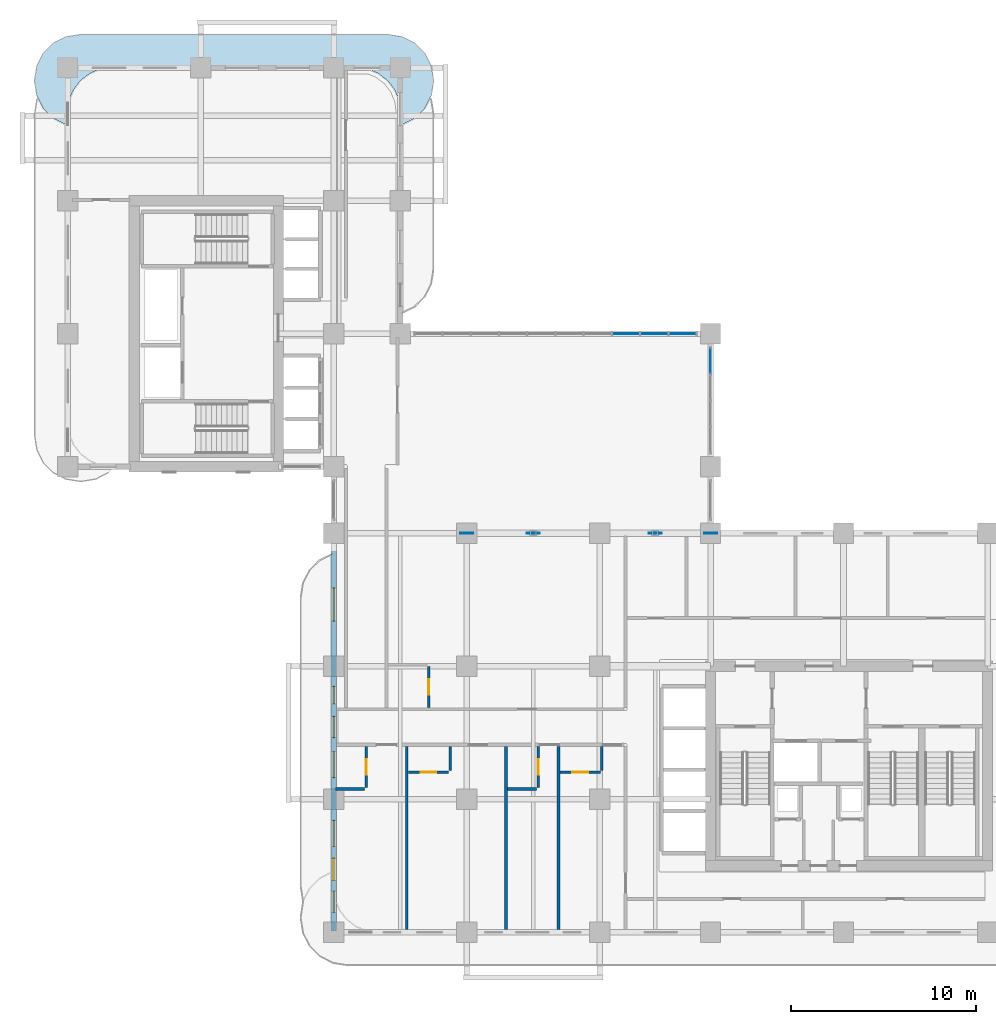
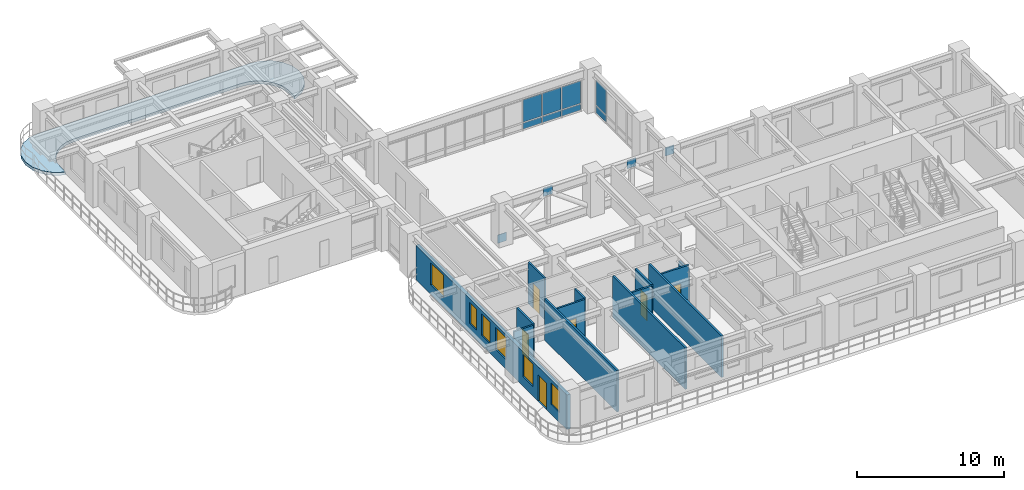
# One storey, part 10 of 21: 13 walls, 12 plates, 6 doors, 6 windows, 1 slab, 12 openings, 2 elements without a shape of their own.
"""IFC4 building model written with IfcOpenShell, lengths in metres."""

from ifc_helpers import new_model, si_unit, derived_unit, direction, frame, frame_2d, origin, origin_2d, place, context, subcontext, project, spatial, polyline, rectangle, outline, extrude, source, transform, mapped, material, layer, layer_set, type_object, type_shapes, element, fill, aggregate, save


model = new_model("IFC4")

# Units and contexts
model_context = context("Model", 3, precision=1e-05, world=origin(), true_north=direction((0.0, 1.0)))
body_context = subcontext(model_context, "Body", "Model", "MODEL_VIEW")
ifc_project = project(units=[si_unit("LENGTHUNIT", "METRE"), si_unit("AREAUNIT", "SQUARE_METRE"), si_unit("VOLUMEUNIT", "CUBIC_METRE"), si_unit("PLANEANGLEUNIT", "RADIAN"), si_unit("MASSUNIT", "GRAM", prefix="KILO"), si_unit("THERMODYNAMICTEMPERATUREUNIT", "KELVIN"), si_unit("POWERUNIT", "WATT"), derived_unit("THERMALTRANSMITTANCEUNIT", [(si_unit("POWERUNIT", "WATT"), 1), (si_unit("AREAUNIT", "SQUARE_METRE"), -1), (si_unit("THERMODYNAMICTEMPERATUREUNIT", "KELVIN"), -1)])], contexts=[model_context])

# Site, building, storey
site_placement = place(None, origin())
site = spatial("IfcSite", under=ifc_project, at=site_placement, CompositionType="ELEMENT")
building_placement = place(site_placement, origin())
building = spatial("IfcBuilding", under=site, at=building_placement, Name="Zahravan Archway Hotel and Residences", CompositionType="ELEMENT")
storey_placement = place(building_placement, frame((0.0, 0.0, 65.699951171875)))
storey = spatial("IfcBuildingStorey", under=building, at=storey_placement, Name="L15", CompositionType="ELEMENT", Elevation=65.699951171875)

# Slab
ifc_material_1 = material(Name="Concrete C45/55", Category="concrete")
ifc_layer_1 = layer(ifc_material_1, 0.25, Name="Concrete C45/55", Category="concrete")
ifc_layer_set_1 = layer_set([ifc_layer_1], Name="Concrete C45/55")
slab_type = type_object("IfcSlabType", Name="SLB-BALC-250", PredefinedType="FLOOR", material=ifc_layer_set_1)
slab_placement = place(storey_placement, frame((0.0, 0.0, -0.25)))
element("IfcSlab", 1, at=slab_placement, inside=storey, type_object=slab_type, Name="L15 Wing B North Rounded Balcony Band", PredefinedType="FLOOR", context=body_context, shape_type="SweptSolid", body=[
    extrude(outline(polyline([(-0.107177734375, 43.719970703125), (-0.7900390625, 44.06787109375), (-1.33203125, 44.60986328125), (-1.68017578125, 45.29296875), (-1.800048828125, 46.050048828125), (-1.800048828125, 46.14990234375), (-1.68017578125, 46.906982421875), (-1.33203125, 47.590087890625), (-0.7900390625, 48.132080078125), (-0.107177734375, 48.47998046875), (0.64990234375, 48.60009765625), (17.35009765625, 48.60009765625), (18.107177734375, 48.47998046875), (18.7900390625, 48.132080078125), (19.33203125, 47.590087890625), (19.68017578125, 46.906982421875), (19.800048828125, 46.14990234375), (19.800048828125, 46.050048828125), (19.68017578125, 45.29296875), (19.33203125, 44.60986328125), (18.7900390625, 44.06787109375), (18.107177734375, 43.719970703125), (18.02001953125, 43.7060546875), (18.02001953125, 44.39990234375), (18.019775390625, 44.402587890625), (17.93798828125, 45.023681640625), (17.937744140625, 45.025390625), (17.937255859375, 45.027099609375), (17.936767578125, 45.02880859375), (17.697021484375, 45.607666015625), (17.6962890625, 45.609130859375), (17.6953125, 45.610595703125), (17.6943359375, 45.6123046875), (17.31298828125, 46.109375), (17.311767578125, 46.110595703125), (17.310546875, 46.11181640625), (17.309326171875, 46.113037109375), (16.812255859375, 46.494384765625), (16.810791015625, 46.495361328125), (16.80908203125, 46.49609375), (16.8076171875, 46.4970703125), (16.22900390625, 46.73681640625), (16.227294921875, 46.7373046875), (16.2255859375, 46.73779296875), (16.223876953125, 46.738037109375), (15.6025390625, 46.81982421875), (15.60009765625, 46.820068359375), (2.39990234375, 46.820068359375), (2.3974609375, 46.81982421875), (1.776123046875, 46.738037109375), (1.7744140625, 46.73779296875), (1.772705078125, 46.7373046875), (1.77099609375, 46.73681640625), (1.1923828125, 46.4970703125), (1.19091796875, 46.49609375), (1.189208984375, 46.495361328125), (1.187744140625, 46.494384765625), (0.690673828125, 46.113037109375), (0.689453125, 46.11181640625), (0.688232421875, 46.110595703125), (0.68701171875, 46.109375), (0.3056640625, 45.6123046875), (0.3046875, 45.610595703125), (0.3037109375, 45.609130859375), (0.302978515625, 45.607666015625), (0.063232421875, 45.02880859375), (0.062744140625, 45.027099609375), (0.062255859375, 45.025390625), (0.06201171875, 45.023681640625), (-0.019775390625, 44.402587890625), (-0.02001953125, 44.39990234375), (-0.02001953125, 43.7060546875), (-0.107177734375, 43.719970703125)])), origin(), (0.0, 0.0, 1.0), 0.25),
])

# Plates
ifc_material_2 = material(Name="Structural Steel S355J2", Category="steel")
ifc_layer_2 = layer(ifc_material_2, 0.030029296875, Name="Structural Steel S355J2", Category="steel")
ifc_layer_set_2 = layer_set([ifc_layer_2], Name="Structural Steel S355J2")
plate_type_1 = type_object("IfcPlateType", Name="PLT-GUS-BTN1", PredefinedType="USERDEFINED", material=ifc_layer_set_2)
shared_shape_1 = source(origin(), body_context, "Body", "SweptSolid", [
    extrude(rectangle(XDim=0.699951171875, YDim=0.030029296875, at=origin_2d()), origin(), (0.0, 0.0, 1.0), 0.699951171875),
])
type_shapes(plate_type_1, [shared_shape_1])
for number, where, z_axis, x_axis, name in (
    (2, (21.60009765625, 21.60009765625, 0.0), (0.0, 0.0, 1.0), (1.0, 0.0, 0.0), "L15 Sky-Bridge End Gusset Plate BTN1-W"),
    (3, (34.800048828125, 21.60009765625, 2.64990234375), (0.0, 0.0, 1.0), (1.0, 0.0, 0.0), "L15 Sky-Bridge End Gusset Plate BTN1-E"),
    (4, (25.199951171875, 21.60009765625, 2.64990234375), (0.0, 0.0, 1.0), (1.0, 0.0, 0.0), "L15 Sky-Bridge Gusset Plate BTN1-1"),
    (5, (31.800048828125, 21.60009765625, 2.64990234375), (0.0, 0.0, 1.0), (1.0, 0.0, 0.0), "L15 Sky-Bridge Gusset Plate BTN1-3"),
):
    element("IfcPlate", number, at=place(storey_placement, frame(where, z_axis=z_axis, x_axis=x_axis)), inside=storey, type_object=plate_type_1, Name=name, ObjectType="GUSSET", PredefinedType="USERDEFINED", context=body_context, shape_type="MappedRepresentation", body=[
        mapped(shared_shape_1, transform((0.0, 0.0, 0.0), scale=1.0)),
    ])

# Curtain wall, plates
ifc_material_3 = material(Name="Bronze-Anodized Unitised Aluminium & Low-E Glass", Category="aluminium")
ifc_layer_3 = layer(ifc_material_3, 0.179931640625, Name="Bronze-Anodized Unitised Aluminium & Low-E Glass", Category="aluminium")
ifc_layer_set_3 = layer_set([ifc_layer_3], Name="Bronze-Anodized Unitised Aluminium & Low-E Glass")
curtain_wall_type = type_object("IfcCurtainWallType", Name="CW-SBG-1", PredefinedType="NOTDEFINED", material=ifc_layer_set_3)
curtain_wall_1_placement = place(storey_placement, origin())
curtain_wall_1 = element("IfcCurtainWall", 6, at=curtain_wall_1_placement, inside=storey, type_object=curtain_wall_type, Name="L15 Curtain Wall CW-L15-HNG-E-2", PredefinedType="NOTDEFINED")
ifc_material_4 = material(Name="Insulated Terracotta Spandrel Panel", Category="masonry")
ifc_layer_4 = layer(ifc_material_4, 0.0400390625, Name="Insulated Terracotta Spandrel Panel", Category="masonry")
ifc_layer_set_4 = layer_set([ifc_layer_4], Name="Insulated Terracotta Spandrel Panel")
plate_type_2 = type_object("IfcPlateType", Name="CWP-SPN-40", PredefinedType="SHEET", material=ifc_layer_set_4)
shared_shape_2 = source(origin(), body_context, "Body", "SweptSolid", [
    extrude(rectangle(XDim=1.340087890625, YDim=0.0400390625, at=origin_2d()), origin(), (0.0, 0.0, 1.0), 0.552490234375),
])
plate_1_placement = place(storey_placement, frame((34.800048828125, 30.929931640625, 0.10009765625), z_axis=(0.0, 0.0, 1.0), x_axis=(0.0, 1.0, 0.0)))
plate_1 = element("IfcPlate", 7, at=plate_1_placement, type_object=plate_type_2, Name="CW-L15-HNG-E-2 Spandrel Panel 3", PredefinedType="SHEET", context=body_context, shape_type="MappedRepresentation", body=[
    mapped(shared_shape_2, transform((0.0, 0.0, 0.0), scale=1.0)),
])
ifc_material_5 = material(Name="Double-Silver Low-E Insulated Vision Glass", Category="glass")
ifc_layer_5 = layer(ifc_material_5, 0.028076171875, Name="Double-Silver Low-E Insulated Vision Glass", Category="glass")
ifc_layer_set_5 = layer_set([ifc_layer_5], Name="Double-Silver Low-E Insulated Vision Glass")
plate_type_3 = type_object("IfcPlateType", Name="CWP-GLZ-28", PredefinedType="CURTAIN_PANEL", material=ifc_layer_set_5)
shared_shape_3 = source(origin(), body_context, "Body", "SweptSolid", [
    extrude(rectangle(XDim=1.340087890625, YDim=0.028076171875, at=origin_2d()), origin(), (0.0, 0.0, 1.0), 2.052490234375),
])
plate_2_placement = place(storey_placement, frame((34.800048828125, 30.929931640625, 0.732421875), z_axis=(0.0, 0.0, 1.0), x_axis=(0.0, 1.0, 0.0)))
plate_2 = element("IfcPlate", 8, at=plate_2_placement, type_object=plate_type_3, Name="CW-L15-HNG-E-2 Low-E Vision Panel 3", PredefinedType="CURTAIN_PANEL", context=body_context, shape_type="MappedRepresentation", body=[
    mapped(shared_shape_3, transform((0.0, 0.0, 0.0), scale=1.0)),
])
aggregate(curtain_wall_1, [plate_1, plate_2])

curtain_wall_2_placement = place(storey_placement, origin())
curtain_wall_2 = element("IfcCurtainWall", 9, at=curtain_wall_2_placement, inside=storey, type_object=curtain_wall_type, Name="L15 Curtain Wall CW-L15-HNG-N-1", PredefinedType="NOTDEFINED")
shared_shape_4 = source(origin(), body_context, "Body", "SweptSolid", [
    extrude(rectangle(XDim=1.447998046875, YDim=0.0400390625, at=origin_2d()), origin(), (0.0, 0.0, 1.0), 0.492431640625),
])
plate_3_placement = place(storey_placement, frame((30.219970703125, 32.39990234375, 0.10009765625), z_axis=(0.0, 0.0, 1.0), x_axis=(1.0, 0.0, 0.0)))
plate_3 = element("IfcPlate", 10, at=plate_3_placement, type_object=plate_type_2, Name="CW-L15-HNG-N-1 Spandrel Panel 7", PredefinedType="SHEET", context=body_context, shape_type="MappedRepresentation", body=[
    mapped(shared_shape_4, transform((0.0, 0.0, 0.0), scale=1.0)),
])
plate_4_placement = place(storey_placement, frame((31.748046875, 32.39990234375, 0.10009765625), z_axis=(0.0, 0.0, 1.0), x_axis=(1.0, 0.0, 0.0)))
plate_4 = element("IfcPlate", 11, at=plate_4_placement, type_object=plate_type_2, Name="CW-L15-HNG-N-1 Spandrel Panel 8", PredefinedType="SHEET", context=body_context, shape_type="MappedRepresentation", body=[
    mapped(shared_shape_4, transform((0.0, 0.0, 0.0), scale=1.0)),
])
plate_5_placement = place(storey_placement, frame((33.27587890625, 32.39990234375, 0.10009765625), z_axis=(0.0, 0.0, 1.0), x_axis=(1.0, 0.0, 0.0)))
plate_5 = element("IfcPlate", 12, at=plate_5_placement, type_object=plate_type_2, Name="CW-L15-HNG-N-1 Spandrel Panel 9", PredefinedType="SHEET", context=body_context, shape_type="MappedRepresentation", body=[
    mapped(shared_shape_4, transform((0.0, 0.0, 0.0), scale=1.0)),
])
shared_shape_5 = source(origin(), body_context, "Body", "SweptSolid", [
    extrude(rectangle(XDim=1.447998046875, YDim=0.028076171875, at=origin_2d()), origin(), (0.0, 0.0, 1.0), 1.862548828125),
])
plate_6_placement = place(storey_placement, frame((30.219970703125, 32.39990234375, 0.67236328125), z_axis=(0.0, 0.0, 1.0), x_axis=(1.0, 0.0, 0.0)))
plate_6 = element("IfcPlate", 13, at=plate_6_placement, type_object=plate_type_3, Name="CW-L15-HNG-N-1 Low-E Vision Panel 7", PredefinedType="CURTAIN_PANEL", context=body_context, shape_type="MappedRepresentation", body=[
    mapped(shared_shape_5, transform((0.0, 0.0, 0.0), scale=1.0)),
])
plate_7_placement = place(storey_placement, frame((31.748046875, 32.39990234375, 0.67236328125), z_axis=(0.0, 0.0, 1.0), x_axis=(1.0, 0.0, 0.0)))
plate_7 = element("IfcPlate", 14, at=plate_7_placement, type_object=plate_type_3, Name="CW-L15-HNG-N-1 Low-E Vision Panel 8", PredefinedType="CURTAIN_PANEL", context=body_context, shape_type="MappedRepresentation", body=[
    mapped(shared_shape_5, transform((0.0, 0.0, 0.0), scale=1.0)),
])
plate_8_placement = place(storey_placement, frame((33.27587890625, 32.39990234375, 0.67236328125), z_axis=(0.0, 0.0, 1.0), x_axis=(1.0, 0.0, 0.0)))
plate_8 = element("IfcPlate", 15, at=plate_8_placement, type_object=plate_type_3, Name="CW-L15-HNG-N-1 Low-E Vision Panel 9", PredefinedType="CURTAIN_PANEL", context=body_context, shape_type="MappedRepresentation", body=[
    mapped(shared_shape_5, transform((0.0, 0.0, 0.0), scale=1.0)),
])
aggregate(curtain_wall_2, [plate_3, plate_6, plate_4, plate_7, plate_5, plate_8])

# Wall, openings, door, windows
ifc_material_6 = material(Name="Honed Red-Ochre Sandstone & Insulated Block", Category="masonry")
ifc_layer_6 = layer(ifc_material_6, 0.280029296875, Name="Honed Red-Ochre Sandstone & Insulated Block", Category="masonry")
ifc_layer_set_6 = layer_set([ifc_layer_6], Name="Honed Red-Ochre Sandstone & Insulated Block")
wall_type_1 = type_object("IfcWallType", Name="EW-LOG-280", PredefinedType="SOLIDWALL", material=ifc_layer_set_6)
wall_1_placement = place(storey_placement, frame((14.39990234375, 0.050048828125, 0.0), z_axis=(0.0, 0.0, 1.0), x_axis=(0.0, 1.0, 0.0)))
wall_1 = element("IfcWall", 16, at=wall_1_placement, inside=storey, type_object=wall_type_1, Name="L15 Exterior Sandstone Wall WA-WL", PredefinedType="SOLIDWALL", context=body_context, shape_type="SweptSolid", body=[
    extrude(rectangle(XDim=20.599853515625, YDim=0.280029296875, at=frame_2d((10.2998046875, 0.0))), origin(), (0.0, 0.0, 1.0), 2.885009765625),
])
opening_1_placement = place(wall_1_placement, frame((2.75, 0.0, 0.0)))
opening_1 = element("IfcOpeningElement", 17, at=opening_1_placement, cuts=wall_1, Name="Opening ED-BL1", PredefinedType="OPENING", context=body_context, shape_type="SweptSolid", body=[
    extrude(rectangle(XDim=1.199951171875, YDim=2.199951171875, at=frame_2d((0.60009765625, 1.10009765625))), frame((0.0, 0.14990234375, 0.0), z_axis=(0.0, -1.0, 0.0), x_axis=(1.0, 0.0, 0.0)), (0.0, 0.0, 1.0), 0.300048828125),
])
opening_2_placement = place(wall_1_placement, frame((1.02490234375, 0.0, 0.800048828125)))
opening_2 = element("IfcOpeningElement", 18, at=opening_2_placement, cuts=wall_1, Name="Opening W-05", PredefinedType="OPENING", context=body_context, shape_type="SweptSolid", body=[
    extrude(rectangle(XDim=1.14990234375, YDim=1.800048828125, at=frame_2d((0.574951171875, 0.89990234375))), frame((0.0, 0.14990234375, 0.0), z_axis=(0.0, -1.0, 0.0), x_axis=(1.0, 0.0, 0.0)), (0.0, 0.0, 1.0), 0.300048828125),
])
opening_3_placement = place(wall_1_placement, frame((4.60009765625, 0.0, 0.800048828125)))
opening_3 = element("IfcOpeningElement", 19, at=opening_3_placement, cuts=wall_1, Name="Opening W-03", PredefinedType="OPENING", context=body_context, shape_type="SweptSolid", body=[
    extrude(rectangle(XDim=1.39990234375, YDim=1.85009765625, at=frame_2d((0.699951171875, 0.925048828125))), frame((0.0, 0.14990234375, 0.0), z_axis=(0.0, -1.0, 0.0), x_axis=(1.0, 0.0, 0.0)), (0.0, 0.0, 1.0), 0.300048828125),
])
opening_4_placement = place(wall_1_placement, frame((8.321044921875, 0.0, 0.800048828125)))
opening_4 = element("IfcOpeningElement", 20, at=opening_4_placement, cuts=wall_1, Name="Opening W-03", PredefinedType="OPENING", context=body_context, shape_type="SweptSolid", body=[
    extrude(rectangle(XDim=1.39990234375, YDim=1.85009765625, at=frame_2d((0.699951171875, 0.925048828125))), frame((0.0, 0.14990234375, 0.0), z_axis=(0.0, -1.0, 0.0), x_axis=(1.0, 0.0, 0.0)), (0.0, 0.0, 1.0), 0.300048828125),
])
opening_5_placement = place(wall_1_placement, frame((10.485107421875, 0.0, 0.800048828125)))
opening_5 = element("IfcOpeningElement", 21, at=opening_5_placement, cuts=wall_1, Name="Opening W-05", PredefinedType="OPENING", context=body_context, shape_type="SweptSolid", body=[
    extrude(rectangle(XDim=1.14990234375, YDim=1.800048828125, at=frame_2d((0.574951171875, 0.89990234375))), frame((0.0, 0.14990234375, 0.0), z_axis=(0.0, -1.0, 0.0), x_axis=(1.0, 0.0, 0.0)), (0.0, 0.0, 1.0), 0.300048828125),
])
opening_6_placement = place(wall_1_placement, frame((12.31396484375, 0.0, 0.800048828125)))
opening_6 = element("IfcOpeningElement", 22, at=opening_6_placement, cuts=wall_1, Name="Opening W-04", PredefinedType="OPENING", context=body_context, shape_type="SweptSolid", body=[
    extrude(rectangle(XDim=0.949951171875, YDim=1.75, at=frame_2d((0.47509765625, 0.875))), frame((0.0, 0.14990234375, 0.0), z_axis=(0.0, -1.0, 0.0), x_axis=(1.0, 0.0, 0.0)), (0.0, 0.0, 1.0), 0.300048828125),
])
opening_7_placement = place(wall_1_placement, frame((16.7900390625, 0.0, 0.800048828125)))
opening_7 = element("IfcOpeningElement", 23, at=opening_7_placement, cuts=wall_1, Name="Opening W-02", PredefinedType="OPENING", context=body_context, shape_type="SweptSolid", body=[
    extrude(rectangle(XDim=1.800048828125, YDim=1.85009765625, at=frame_2d((0.89990234375, 0.925048828125))), frame((0.0, 0.14990234375, 0.0), z_axis=(0.0, -1.0, 0.0), x_axis=(1.0, 0.0, 0.0)), (0.0, 0.0, 1.0), 0.300048828125),
])
ifc_material_7 = material(Name="Bronze-Anodized Glazed Aluminium", Category="aluminium")
door_type_1 = type_object("IfcDoorType", Name="ED-BALC-1200", OperationType="SLIDING_TO_LEFT", PredefinedType="DOOR", material=ifc_material_7)
shared_shape_6 = source(origin(), body_context, "Body", "SweptSolid", [
    extrude(rectangle(XDim=1.199951171875, YDim=2.199951171875, at=frame_2d((0.60009765625, 1.10009765625))), frame((0.0, 0.02490234375, 0.0), z_axis=(0.0, -1.0, 0.0), x_axis=(1.0, 0.0, 0.0)), (0.0, 0.0, 1.0), 0.050048828125),
])
type_shapes(door_type_1, [shared_shape_6])
door_1_placement = place(opening_1_placement, origin())
door_1 = element("IfcDoor", 24, at=door_1_placement, inside=storey, type_object=door_type_1, Name="L15 Outdoor Access Sliding Door (SLB-BAL-L15-WA)", OperationType="SLIDING_TO_LEFT", OverallHeight=2.199951171875, OverallWidth=1.199951171875, PredefinedType="DOOR", context=body_context, shape_type="MappedRepresentation", body=[
    mapped(shared_shape_6, transform((0.0, 0.0, 0.0), scale=1.0)),
])
fill(opening_1, door_1)
ifc_material_8 = material(Name="Bronze-Anodized Thermal-Break Aluminium & Low-E Glass", Category="aluminium")
window_type_1 = type_object("IfcWindowType", Name="WIN-TWR-1400", PartitioningType="SINGLE_PANEL", PredefinedType="WINDOW", material=ifc_material_8)
shared_shape_7 = source(origin(), body_context, "Body", "SweptSolid", [
    extrude(rectangle(XDim=1.39990234375, YDim=1.85009765625, at=frame_2d((0.699951171875, 0.925048828125))), frame((0.0, 0.030029296875, 0.0), z_axis=(0.0, -1.0, 0.0), x_axis=(1.0, 0.0, 0.0)), (0.0, 0.0, 1.0), 0.06005859375),
])
type_shapes(window_type_1, [shared_shape_7])
window_1_placement = place(opening_3_placement, origin())
window_1 = element("IfcWindow", 25, at=window_1_placement, inside=storey, type_object=window_type_1, Name="L15 Loggia Window 26", OverallHeight=1.85009765625, OverallWidth=1.39990234375, PartitioningType="SINGLE_PANEL", PredefinedType="WINDOW", context=body_context, shape_type="MappedRepresentation", body=[
    mapped(shared_shape_7, transform((0.0, 0.0, 0.0), scale=1.0)),
])
fill(opening_3, window_1)
window_2_placement = place(opening_4_placement, origin())
window_2 = element("IfcWindow", 26, at=window_2_placement, inside=storey, type_object=window_type_1, Name="L15 Loggia Window 27", OverallHeight=1.85009765625, OverallWidth=1.39990234375, PartitioningType="SINGLE_PANEL", PredefinedType="WINDOW", context=body_context, shape_type="MappedRepresentation", body=[
    mapped(shared_shape_7, transform((0.0, 0.0, 0.0), scale=1.0)),
])
fill(opening_4, window_2)
window_type_2 = type_object("IfcWindowType", Name="WIN-NAR-950", PartitioningType="SINGLE_PANEL", PredefinedType="WINDOW", material=ifc_material_8)
shared_shape_8 = source(origin(), body_context, "Body", "SweptSolid", [
    extrude(rectangle(XDim=0.949951171875, YDim=1.75, at=frame_2d((0.47509765625, 0.875))), frame((0.0, 0.030029296875, 0.0), z_axis=(0.0, -1.0, 0.0), x_axis=(1.0, 0.0, 0.0)), (0.0, 0.0, 1.0), 0.06005859375),
])
type_shapes(window_type_2, [shared_shape_8])
window_3_placement = place(opening_6_placement, origin())
window_3 = element("IfcWindow", 27, at=window_3_placement, inside=storey, type_object=window_type_2, Name="L15 Loggia Window 29", OverallHeight=1.75, OverallWidth=0.949951171875, PartitioningType="SINGLE_PANEL", PredefinedType="WINDOW", context=body_context, shape_type="MappedRepresentation", body=[
    mapped(shared_shape_8, transform((0.0, 0.0, 0.0), scale=1.0)),
])
fill(opening_6, window_3)
window_type_3 = type_object("IfcWindowType", Name="WIN-TWR-1800", PartitioningType="DOUBLE_PANEL_VERTICAL", PredefinedType="WINDOW", material=ifc_material_8)
shared_shape_9 = source(origin(), body_context, "Body", "SweptSolid", [
    extrude(rectangle(XDim=1.800048828125, YDim=1.85009765625, at=frame_2d((0.89990234375, 0.925048828125))), frame((0.0, 0.030029296875, 0.0), z_axis=(0.0, -1.0, 0.0), x_axis=(1.0, 0.0, 0.0)), (0.0, 0.0, 1.0), 0.06005859375),
])
type_shapes(window_type_3, [shared_shape_9])
window_4_placement = place(opening_7_placement, origin())
window_4 = element("IfcWindow", 28, at=window_4_placement, inside=storey, type_object=window_type_3, Name="L15 Loggia Window 30", OverallHeight=1.85009765625, OverallWidth=1.800048828125, PartitioningType="DOUBLE_PANEL_VERTICAL", PredefinedType="WINDOW", context=body_context, shape_type="MappedRepresentation", body=[
    mapped(shared_shape_9, transform((0.0, 0.0, 0.0), scale=1.0)),
])
fill(opening_7, window_4)
window_type_4 = type_object("IfcWindowType", Name="WIN-TWR-1150", PartitioningType="SINGLE_PANEL", PredefinedType="WINDOW", material=ifc_material_8)
shared_shape_10 = source(origin(), body_context, "Body", "SweptSolid", [
    extrude(rectangle(XDim=1.14990234375, YDim=1.800048828125, at=frame_2d((0.574951171875, 0.89990234375))), frame((0.0, 0.030029296875, 0.0), z_axis=(0.0, -1.0, 0.0), x_axis=(1.0, 0.0, 0.0)), (0.0, 0.0, 1.0), 0.06005859375),
])
type_shapes(window_type_4, [shared_shape_10])
window_5_placement = place(opening_2_placement, origin())
window_5 = element("IfcWindow", 29, at=window_5_placement, inside=storey, type_object=window_type_4, Name="L15 Loggia Window 25", OverallHeight=1.800048828125, OverallWidth=1.14990234375, PartitioningType="SINGLE_PANEL", PredefinedType="WINDOW", context=body_context, shape_type="MappedRepresentation", body=[
    mapped(shared_shape_10, transform((0.0, 0.0, 0.0), scale=1.0)),
])
fill(opening_2, window_5)
window_6_placement = place(opening_5_placement, origin())
window_6 = element("IfcWindow", 30, at=window_6_placement, inside=storey, type_object=window_type_4, Name="L15 Loggia Window 28", OverallHeight=1.800048828125, OverallWidth=1.14990234375, PartitioningType="SINGLE_PANEL", PredefinedType="WINDOW", context=body_context, shape_type="MappedRepresentation", body=[
    mapped(shared_shape_10, transform((0.0, 0.0, 0.0), scale=1.0)),
])
fill(opening_5, window_6)

# Walls
ifc_material_9 = material(Name="Acoustic Stud Partition")
ifc_layer_7 = layer(ifc_material_9, 0.14990234375, Name="Acoustic Stud Partition")
ifc_layer_set_7 = layer_set([ifc_layer_7], Name="Acoustic Stud Partition")
wall_type_2 = type_object("IfcWallType", Name="PW-UNIT-150", PredefinedType="PARTITIONING", material=ifc_layer_set_7)
for number, where, z_axis, x_axis, name in (
    (31, (18.35009765625, 0.14794921875, 0.0), (0.0, 0.0, 1.0), (0.0, 1.0, 0.0), "L15 Partition WAS-4-1"),
    (32, (23.719970703125, 0.14794921875, 0.0), (0.0, 0.0, 1.0), (0.0, 1.0, 0.0), "L15 Partition WAS-4-2"),
    (33, (26.570068359375, 0.14794921875, 0.0), (0.0, 0.0, 1.0), (0.0, 1.0, 0.0), "L15 Partition WAS-4-3"),
):
    element("IfcWall", number, at=place(storey_placement, frame(where, z_axis=z_axis, x_axis=x_axis)), inside=storey, type_object=wall_type_2, Name=name, PredefinedType="PARTITIONING", context=body_context, shape_type="SweptSolid", body=[
        extrude(rectangle(XDim=9.912109375, YDim=0.14990234375, at=frame_2d((4.9560546875, 0.0))), origin(), (0.0, 0.0, 1.0), 3.449951171875),
    ])

# Wall, opening, door
ifc_material_10 = material(Name="Moisture-Resistant Blockwork", Category="masonry")
ifc_layer_8 = layer(ifc_material_10, 0.139892578125, Name="Moisture-Resistant Blockwork", Category="masonry")
ifc_layer_set_8 = layer_set([ifc_layer_8], Name="Moisture-Resistant Blockwork")
wall_type_3 = type_object("IfcWallType", Name="PW-WET-140", PredefinedType="PARTITIONING", material=ifc_layer_set_8)
wall_2_placement = place(storey_placement, frame((16.14990234375, 7.840087890625, 0.0), z_axis=(0.0, 0.0, 1.0), x_axis=(0.0, 1.0, 0.0)))
wall_2 = element("IfcWall", 34, at=wall_2_placement, inside=storey, type_object=wall_type_3, Name="L15 Partition HKB-V40", PredefinedType="PARTITIONING", context=body_context, shape_type="SweptSolid", body=[
    extrude(rectangle(XDim=2.219970703125, YDim=0.139892578125, at=frame_2d((1.10986328125, 0.0))), origin(), (0.0, 0.0, 1.0), 3.449951171875),
])
opening_8_placement = place(wall_2_placement, frame((0.68505859375, 0.0, 0.0)))
opening_8 = element("IfcOpeningElement", 35, at=opening_8_placement, cuts=wall_2, Name="Opening D-B1", PredefinedType="OPENING", context=body_context, shape_type="SweptSolid", body=[
    extrude(rectangle(XDim=0.85009765625, YDim=2.10009765625, at=frame_2d((0.425048828125, 1.050048828125))), frame((0.0, 0.080078125, 0.0), z_axis=(0.0, -1.0, 0.0), x_axis=(1.0, 0.0, 0.0)), (0.0, 0.0, 1.0), 0.159912109375),
])
ifc_material_11 = material(Name="Hardwood Veneer Timber", Category="wood")
door_type_2 = type_object("IfcDoorType", Name="ID-BATH-850", OperationType="NOTDEFINED", PredefinedType="DOOR", material=ifc_material_11)
shared_shape_11 = source(origin(), body_context, "Body", "SweptSolid", [
    extrude(rectangle(XDim=0.85009765625, YDim=2.10009765625, at=frame_2d((0.425048828125, 1.050048828125))), frame((0.0, 0.02490234375, 0.0), z_axis=(0.0, -1.0, 0.0), x_axis=(1.0, 0.0, 0.0)), (0.0, 0.0, 1.0), 0.050048828125),
])
type_shapes(door_type_2, [shared_shape_11])
door_2_placement = place(opening_8_placement, origin())
door_2 = element("IfcDoor", 36, at=door_2_placement, inside=storey, type_object=door_type_2, Name="L15 Guestroom 40 En-Suite Door", OperationType="SINGLE_SWING_RIGHT", OverallHeight=2.10009765625, OverallWidth=0.85009765625, PredefinedType="DOOR", context=body_context, shape_type="MappedRepresentation", body=[
    mapped(shared_shape_11, transform((0.0, 0.0, 0.0), scale=1.0)),
])
fill(opening_8, door_2)

# Walls
wall_3_placement = place(storey_placement, frame((14.489990234375, 7.75, 0.0), z_axis=(0.0, 0.0, 1.0), x_axis=(1.0, 0.0, 0.0)))
element("IfcWall", 37, at=wall_3_placement, inside=storey, type_object=wall_type_3, Name="L15 Partition HKB-H40", PredefinedType="PARTITIONING", context=body_context, shape_type="SweptSolid", body=[
    extrude(rectangle(XDim=1.570068359375, YDim=0.139892578125, at=frame_2d((0.78515625, 0.0))), origin(), (0.0, 0.0, 1.0), 3.449951171875),
])
wall_4_placement = place(storey_placement, frame((20.699951171875, 8.739990234375, 0.0), z_axis=(0.0, 0.0, 1.0), x_axis=(0.0, 1.0, 0.0)))
element("IfcWall", 38, at=wall_4_placement, inside=storey, type_object=wall_type_3, Name="L15 Partition HKB-V41", PredefinedType="PARTITIONING", context=body_context, shape_type="SweptSolid", body=[
    extrude(rectangle(XDim=1.320068359375, YDim=0.139892578125, at=frame_2d((0.66015625, 0.0))), origin(), (0.0, 0.0, 1.0), 3.449951171875),
])

# Wall, opening, door
wall_5_placement = place(storey_placement, frame((18.43994140625, 8.64990234375, 0.0), z_axis=(0.0, 0.0, 1.0), x_axis=(1.0, 0.0, 0.0)))
wall_5 = element("IfcWall", 39, at=wall_5_placement, inside=storey, type_object=wall_type_3, Name="L15 Partition HKB-H41", PredefinedType="PARTITIONING", context=body_context, shape_type="SweptSolid", body=[
    extrude(rectangle(XDim=2.170166015625, YDim=0.139892578125, at=frame_2d((1.0849609375, 0.0))), origin(), (0.0, 0.0, 1.0), 3.449951171875),
])
opening_9_placement = place(wall_5_placement, frame((0.659912109375, 0.0, 0.0)))
opening_9 = element("IfcOpeningElement", 40, at=opening_9_placement, cuts=wall_5, Name="Opening D-B1", PredefinedType="OPENING", context=body_context, shape_type="SweptSolid", body=[
    extrude(rectangle(XDim=0.85009765625, YDim=2.10009765625, at=frame_2d((0.425048828125, 1.050048828125))), frame((0.0, 0.080078125, 0.0), z_axis=(0.0, -1.0, 0.0), x_axis=(1.0, 0.0, 0.0)), (0.0, 0.0, 1.0), 0.159912109375),
])
door_3_placement = place(opening_9_placement, origin())
door_3 = element("IfcDoor", 41, at=door_3_placement, inside=storey, type_object=door_type_2, Name="L15 Guestroom 41 En-Suite Door", OperationType="SINGLE_SWING_RIGHT", OverallHeight=2.10009765625, OverallWidth=0.85009765625, PredefinedType="DOOR", context=body_context, shape_type="MappedRepresentation", body=[
    mapped(shared_shape_11, transform((0.0, 0.0, 0.0), scale=1.0)),
])
fill(opening_9, door_3)

wall_6_placement = place(storey_placement, frame((25.469970703125, 7.840087890625, 0.0), z_axis=(0.0, 0.0, 1.0), x_axis=(0.0, 1.0, 0.0)))
wall_6 = element("IfcWall", 42, at=wall_6_placement, inside=storey, type_object=wall_type_3, Name="L15 Partition HKB-V42", PredefinedType="PARTITIONING", context=body_context, shape_type="SweptSolid", body=[
    extrude(rectangle(XDim=2.219970703125, YDim=0.139892578125, at=frame_2d((1.10986328125, 0.0))), origin(), (0.0, 0.0, 1.0), 3.449951171875),
])
opening_10_placement = place(wall_6_placement, frame((0.68505859375, 0.0, 0.0)))
opening_10 = element("IfcOpeningElement", 43, at=opening_10_placement, cuts=wall_6, Name="Opening D-B1", PredefinedType="OPENING", context=body_context, shape_type="SweptSolid", body=[
    extrude(rectangle(XDim=0.85009765625, YDim=2.10009765625, at=frame_2d((0.425048828125, 1.050048828125))), frame((0.0, 0.080078125, 0.0), z_axis=(0.0, -1.0, 0.0), x_axis=(1.0, 0.0, 0.0)), (0.0, 0.0, 1.0), 0.159912109375),
])
door_4_placement = place(opening_10_placement, origin())
door_4 = element("IfcDoor", 44, at=door_4_placement, inside=storey, type_object=door_type_2, Name="L15 Guestroom 42 En-Suite Door", OperationType="SINGLE_SWING_RIGHT", OverallHeight=2.10009765625, OverallWidth=0.85009765625, PredefinedType="DOOR", context=body_context, shape_type="MappedRepresentation", body=[
    mapped(shared_shape_11, transform((0.0, 0.0, 0.0), scale=1.0)),
])
fill(opening_10, door_4)

# Walls
wall_7_placement = place(storey_placement, frame((23.81005859375, 7.75, 0.0), z_axis=(0.0, 0.0, 1.0), x_axis=(1.0, 0.0, 0.0)))
element("IfcWall", 45, at=wall_7_placement, inside=storey, type_object=wall_type_3, Name="L15 Partition HKB-H42", PredefinedType="PARTITIONING", context=body_context, shape_type="SweptSolid", body=[
    extrude(rectangle(XDim=1.56982421875, YDim=0.139892578125, at=frame_2d((0.784912109375, 0.0))), origin(), (0.0, 0.0, 1.0), 3.449951171875),
])
wall_8_placement = place(storey_placement, frame((28.919921875, 8.739990234375, 0.0), z_axis=(0.0, 0.0, 1.0), x_axis=(0.0, 1.0, 0.0)))
element("IfcWall", 46, at=wall_8_placement, inside=storey, type_object=wall_type_3, Name="L15 Partition HKB-V43", PredefinedType="PARTITIONING", context=body_context, shape_type="SweptSolid", body=[
    extrude(rectangle(XDim=1.320068359375, YDim=0.139892578125, at=frame_2d((0.66015625, 0.0))), origin(), (0.0, 0.0, 1.0), 2.885009765625),
])

# Wall, opening, door
wall_9_placement = place(storey_placement, frame((26.659912109375, 8.64990234375, 0.0), z_axis=(0.0, 0.0, 1.0), x_axis=(1.0, 0.0, 0.0)))
wall_9 = element("IfcWall", 47, at=wall_9_placement, inside=storey, type_object=wall_type_3, Name="L15 Partition HKB-H43", PredefinedType="PARTITIONING", context=body_context, shape_type="SweptSolid", body=[
    extrude(rectangle(XDim=2.170166015625, YDim=0.139892578125, at=frame_2d((1.0849609375, 0.0))), origin(), (0.0, 0.0, 1.0), 3.449951171875),
])
opening_11_placement = place(wall_9_placement, frame((0.659912109375, 0.0, 0.0)))
opening_11 = element("IfcOpeningElement", 48, at=opening_11_placement, cuts=wall_9, Name="Opening D-B1", PredefinedType="OPENING", context=body_context, shape_type="SweptSolid", body=[
    extrude(rectangle(XDim=0.85009765625, YDim=2.10009765625, at=frame_2d((0.425048828125, 1.050048828125))), frame((0.0, 0.080078125, 0.0), z_axis=(0.0, -1.0, 0.0), x_axis=(1.0, 0.0, 0.0)), (0.0, 0.0, 1.0), 0.159912109375),
])
door_5_placement = place(opening_11_placement, origin())
door_5 = element("IfcDoor", 49, at=door_5_placement, inside=storey, type_object=door_type_2, Name="L15 Guestroom 43 En-Suite Door", OperationType="SINGLE_SWING_RIGHT", OverallHeight=2.10009765625, OverallWidth=0.85009765625, PredefinedType="DOOR", context=body_context, shape_type="MappedRepresentation", body=[
    mapped(shared_shape_11, transform((0.0, 0.0, 0.0), scale=1.0)),
])
fill(opening_11, door_5)

wall_10_placement = place(storey_placement, frame((19.550048828125, 12.159912109375, 0.0), z_axis=(0.0, 0.0, 1.0), x_axis=(0.0, 1.0, 0.0)))
wall_10 = element("IfcWall", 50, at=wall_10_placement, inside=storey, type_object=wall_type_3, Name="L15 Partition HKB-V55", PredefinedType="PARTITIONING", context=body_context, shape_type="SweptSolid", body=[
    extrude(rectangle(XDim=2.219970703125, YDim=0.139892578125, at=frame_2d((1.10986328125, 0.0))), origin(), (0.0, 0.0, 1.0), 3.449951171875),
])
opening_12_placement = place(wall_10_placement, frame((0.68505859375, 0.0, 0.0)))
opening_12 = element("IfcOpeningElement", 51, at=opening_12_placement, cuts=wall_10, Name="Opening D-B1", PredefinedType="OPENING", context=body_context, shape_type="SweptSolid", body=[
    extrude(rectangle(XDim=0.85009765625, YDim=2.10009765625, at=frame_2d((0.425048828125, 1.050048828125))), frame((0.0, 0.080078125, 0.0), z_axis=(0.0, -1.0, 0.0), x_axis=(1.0, 0.0, 0.0)), (0.0, 0.0, 1.0), 0.159912109375),
])
door_6_placement = place(opening_12_placement, origin())
door_6 = element("IfcDoor", 52, at=door_6_placement, inside=storey, type_object=door_type_2, Name="L15 Guestroom 55 En-Suite Door", OperationType="SINGLE_SWING_LEFT", OverallHeight=2.10009765625, OverallWidth=0.85009765625, PredefinedType="DOOR", context=body_context, shape_type="MappedRepresentation", body=[
    mapped(shared_shape_11, transform((0.0, 0.0, 0.0), scale=1.0)),
])
fill(opening_12, door_6)

save(model, "model.ifc")
